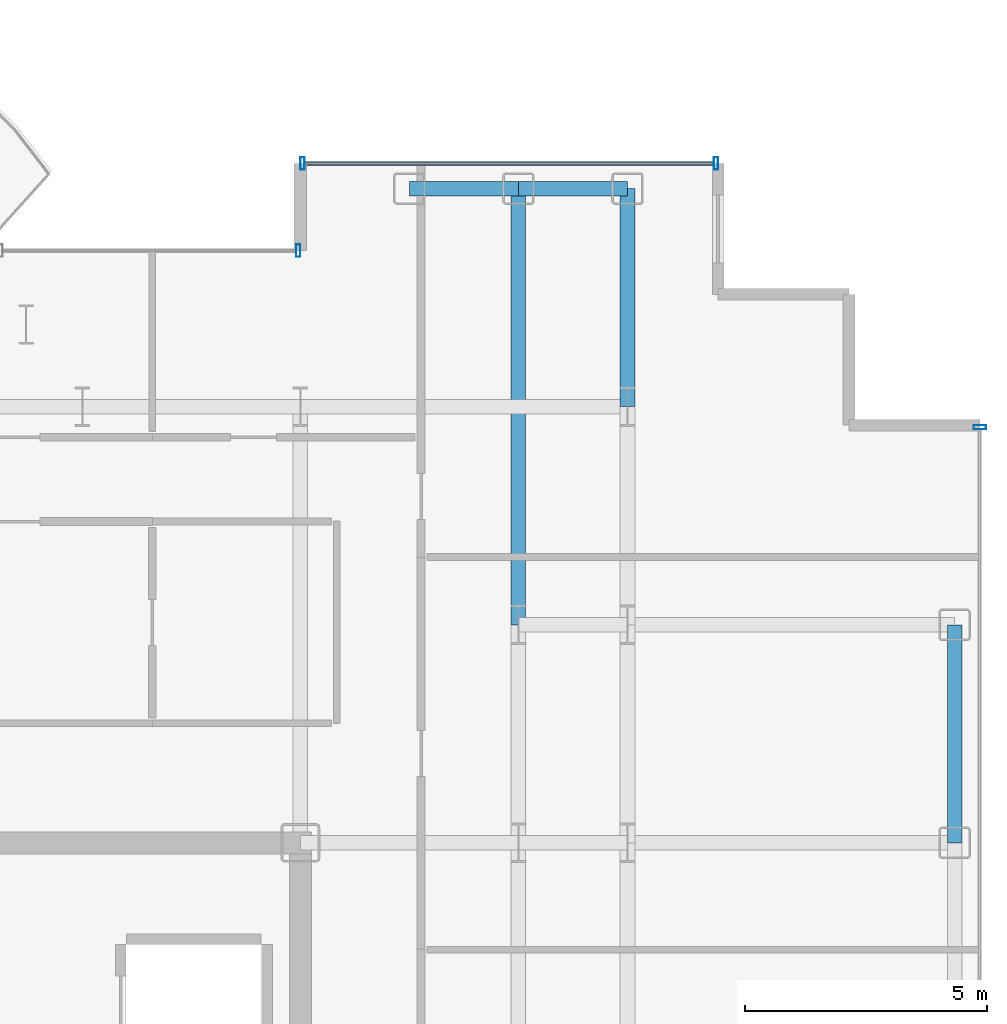
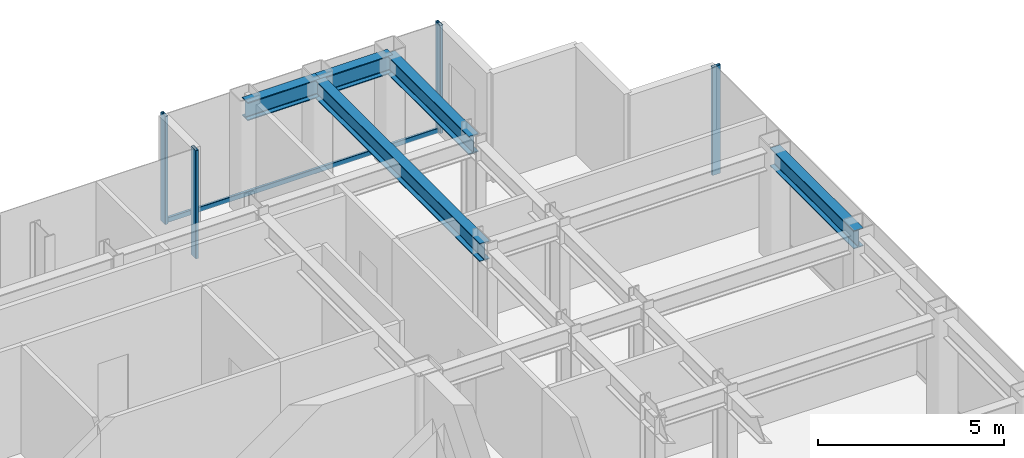
# One storey, part 12 of 21: 5 beams, 5 members, 3 elements without a shape of their own.
"""IFC4 building model written with IfcOpenShell, lengths in metres."""

from ifc_helpers import new_model, si_unit, direction, frame, origin, origin_2d, place, context, subcontext, project, spatial, hollow_rectangle, i_section, extrude, source, transform, mapped, material, layer, layer_set, material_profile, profile_set, type_object, element, aggregate, save


model = new_model("IFC4")

# Units and contexts
model_context = context("Model", 3, precision=1e-05, world=origin(), true_north=direction((0.0, 1.0)))
body_context = subcontext(model_context, "Body", "Model", "MODEL_VIEW")
ifc_project = project(units=[si_unit("LENGTHUNIT", "METRE"), si_unit("AREAUNIT", "SQUARE_METRE"), si_unit("VOLUMEUNIT", "CUBIC_METRE"), si_unit("PLANEANGLEUNIT", "RADIAN"), si_unit("MASSUNIT", "GRAM", prefix="KILO")], contexts=[model_context])

# Site, building, storey
site_placement = place(None, origin())
site = spatial("IfcSite", under=ifc_project, at=site_placement, CompositionType="ELEMENT")
building_placement = place(site_placement, origin())
building = spatial("IfcBuilding", under=site, at=building_placement, Name="Nefas-Gora Pilgrimage Tower", CompositionType="ELEMENT")
storey_placement = place(building_placement, frame((0.0, 0.0, 210.39990234375)))
storey = spatial("IfcBuildingStorey", under=building, at=storey_placement, Name="L52", CompositionType="ELEMENT", Elevation=210.39990234375)

# Beams
ifc_material_1 = material(Name="Steel S355", Category="steel")
ifc_material_profile_1 = material_profile(ifc_material_1, i_section(OverallWidth=0.300048828125, OverallDepth=0.60009765625, WebThickness=0.015380859375, FlangeThickness=0.030029296875, FilletRadius=0.027099609375, at=origin_2d()), Name="HEB 600")
ifc_profile_set_1 = profile_set([ifc_material_profile_1], Name="Steel S355")
beam_type_1 = type_object("IfcBeamType", Name="BM-SPN-HEB450", PredefinedType="SPANDREL", material=ifc_profile_set_1)
shared_shape_1 = source(origin(), body_context, "Body", "SweptSolid", [
    extrude(i_section(OverallWidth=0.300048828125, OverallDepth=0.60009765625, WebThickness=0.015380859375, FlangeThickness=0.030029296875, FilletRadius=0.027099609375, at=origin_2d()), origin(), (0.0, 0.0, 1.0), 4.5),
])
beam_1_placement = place(storey_placement, frame((24.75, 9.0, 3.25), z_axis=(0.0, 1.0, 0.0), x_axis=(-1.0, 0.0, 0.0)))
element("IfcBeam", 1, at=beam_1_placement, inside=storey, type_object=beam_type_1, Name="L52 SP-03 beam", PredefinedType="SPANDREL", context=body_context, shape_type="MappedRepresentation", body=[
    mapped(shared_shape_1, transform((0.0, 0.0, 0.0), x_axis=(1.0, 0.0, 0.0), y_axis=(0.0, 1.0, 0.0), z_axis=(0.0, 0.0, 1.0), scale=1.0)),
])
ifc_material_profile_2 = material_profile(ifc_material_1, i_section(OverallWidth=0.300048828125, OverallDepth=0.60009765625, WebThickness=0.015380859375, FlangeThickness=0.030029296875, FilletRadius=0.027099609375, at=origin_2d()), Name="HEB 600")
ifc_profile_set_2 = profile_set([ifc_material_profile_2], Name="Steel S355")
beam_type_2 = type_object("IfcBeamType", Name="BM-GIR-HEB600", PredefinedType="BEAM", material=ifc_profile_set_2)
shared_shape_2 = source(origin(), body_context, "Body", "SweptSolid", [
    extrude(i_section(OverallWidth=0.300048828125, OverallDepth=0.60009765625, WebThickness=0.015380859375, FlangeThickness=0.030029296875, FilletRadius=0.027099609375, at=origin_2d()), origin(), (0.0, 0.0, 1.0), 9.0),
])
beam_2_placement = place(storey_placement, frame((15.75, 13.5, 3.25), z_axis=(0.0, 1.0, 0.0), x_axis=(-1.0, 0.0, 0.0)))
element("IfcBeam", 2, at=beam_2_placement, inside=storey, type_object=beam_type_2, Name="L52 G-04 beam", PredefinedType="BEAM", context=body_context, shape_type="MappedRepresentation", body=[
    mapped(shared_shape_2, transform((0.0, 0.0, 0.0), x_axis=(1.0, 0.0, 0.0), y_axis=(0.0, 1.0, 0.0), z_axis=(0.0, 0.0, 1.0), scale=1.0)),
])
shared_shape_3 = source(origin(), body_context, "Body", "SweptSolid", [
    extrude(i_section(OverallWidth=0.300048828125, OverallDepth=0.60009765625, WebThickness=0.015380859375, FlangeThickness=0.030029296875, FilletRadius=0.027099609375, at=origin_2d()), origin(), (0.0, 0.0, 1.0), 4.5),
])
beam_3_placement = place(storey_placement, frame((18.0, 18.0, 3.25), z_axis=(0.0, 1.0, 0.0), x_axis=(-1.0, 0.0, 0.0)))
element("IfcBeam", 3, at=beam_3_placement, inside=storey, type_object=beam_type_2, Name="L52 G-04 beam", PredefinedType="BEAM", context=body_context, shape_type="MappedRepresentation", body=[
    mapped(shared_shape_3, transform((0.0, 0.0, 0.0), x_axis=(1.0, 0.0, 0.0), y_axis=(0.0, 1.0, 0.0), z_axis=(0.0, 0.0, 1.0), scale=1.0)),
])
shared_shape_4 = source(origin(), body_context, "Body", "SweptSolid", [
    extrude(i_section(OverallWidth=0.300048828125, OverallDepth=0.60009765625, WebThickness=0.015380859375, FlangeThickness=0.030029296875, FilletRadius=0.027099609375, at=origin_2d()), origin(), (0.0, 0.0, 1.0), 2.25),
])
for number, where, z_axis, x_axis, name in (
    (4, (13.5, 22.5, 3.25), (1.0, 0.0, 0.0), (0.0, 1.0, 0.0), "L52 SP-03 beam"),
    (5, (15.75, 22.5, 3.25), (1.0, 0.0, 0.0), (0.0, 1.0, 0.0), "L52 SP-03 beam"),
):
    element("IfcBeam", number, at=place(storey_placement, frame(where, z_axis=z_axis, x_axis=x_axis)), inside=storey, type_object=beam_type_1, Name=name, PredefinedType="SPANDREL", context=body_context, shape_type="MappedRepresentation", body=[
        mapped(shared_shape_4, transform((0.0, 0.0, 0.0), x_axis=(1.0, 0.0, 0.0), y_axis=(0.0, 1.0, 0.0), z_axis=(0.0, 0.0, 1.0), scale=1.0)),
    ])

# Curtain wall, member
ifc_material_2 = material(Name="Dark ceramic-fritted solar-control aluminium-glass curtain wall", Category="aluminium")
ifc_layer_1 = layer(ifc_material_2, 0.219970703125)
ifc_layer_set_1 = layer_set([ifc_layer_1], Name="Dark ceramic-fritted solar-control aluminium-glass curtain wall")
curtain_wall_type_1 = type_object("IfcCurtainWallType", Name="CW-SYS-5", PredefinedType="NOTDEFINED", material=ifc_layer_set_1)
curtain_wall_1_placement = place(storey_placement, origin())
curtain_wall_1 = element("IfcCurtainWall", 6, at=curtain_wall_1_placement, inside=storey, type_object=curtain_wall_type_1, Name="L52 Unitised Curtain Wall CW5", PredefinedType="NOTDEFINED")
ifc_material_3 = material(Name="Anodised architectural aluminium", Category="aluminium")
ifc_material_profile_3 = material_profile(ifc_material_3, hollow_rectangle(XDim=0.090087890625, YDim=0.260009765625, WallThickness=0.006103515625, InnerFilletRadius=0.006103515625, OuterFilletRadius=0.011962890625, at=origin_2d()), Name="ALU MULLION 90x260")
ifc_profile_set_3 = profile_set([ifc_material_profile_3], Name="Anodised architectural aluminium")
member_type_1 = type_object("IfcMemberType", Name="CWM-MUL-5", PredefinedType="MULLION", material=ifc_profile_set_3)
shared_shape_5 = source(origin(), body_context, "Body", "SweptSolid", [
    extrude(hollow_rectangle(XDim=0.090087890625, YDim=0.260009765625, WallThickness=0.006103515625, InnerFilletRadius=0.006103515625, OuterFilletRadius=0.011962890625, at=origin_2d()), origin(), (0.0, 0.0, 1.0), 3.550048828125),
])
member_1_placement = place(storey_placement, frame((11.205078125, 21.219970703125, 0.0), z_axis=(0.0, 0.0, 1.0), x_axis=(-1.0, 0.0, 0.0)))
member_1 = element("IfcMember", 7, at=member_1_placement, type_object=member_type_1, Name="CW5 Mullion 1", PredefinedType="MULLION", context=body_context, shape_type="MappedRepresentation", body=[
    mapped(shared_shape_5, transform((0.0, 0.0, 0.0), x_axis=(1.0, 0.0, 0.0), y_axis=(0.0, 1.0, 0.0), z_axis=(0.0, 0.0, 1.0), scale=1.0)),
])
aggregate(curtain_wall_1, [member_1])

ifc_layer_2 = layer(ifc_material_2, 0.219970703125)
ifc_layer_set_2 = layer_set([ifc_layer_2], Name="Dark ceramic-fritted solar-control aluminium-glass curtain wall")
curtain_wall_type_2 = type_object("IfcCurtainWallType", Name="CW-SYS-3", PredefinedType="NOTDEFINED", material=ifc_layer_set_2)
curtain_wall_2_placement = place(storey_placement, origin())
curtain_wall_2 = element("IfcCurtainWall", 8, at=curtain_wall_2_placement, inside=storey, type_object=curtain_wall_type_2, Name="L52 Unitised Curtain Wall CW3", PredefinedType="NOTDEFINED")
ifc_material_profile_4 = material_profile(ifc_material_3, hollow_rectangle(XDim=0.090087890625, YDim=0.260009765625, WallThickness=0.006103515625, InnerFilletRadius=0.006103515625, OuterFilletRadius=0.011962890625, at=origin_2d()), Name="ALU MULLION 90x260")
ifc_profile_set_4 = profile_set([ifc_material_profile_4], Name="Anodised architectural aluminium")
member_type_2 = type_object("IfcMemberType", Name="CWM-MUL-3", PredefinedType="MULLION", material=ifc_profile_set_4)
shared_shape_6 = source(origin(), body_context, "Body", "SweptSolid", [
    extrude(hollow_rectangle(XDim=0.090087890625, YDim=0.260009765625, WallThickness=0.006103515625, InnerFilletRadius=0.006103515625, OuterFilletRadius=0.011962890625, at=origin_2d()), origin(), (0.0, 0.0, 1.0), 3.550048828125),
])
member_2_placement = place(storey_placement, frame((25.27001953125, 17.574951171875, 0.0), z_axis=(0.0, 0.0, 1.0), x_axis=(0.0, 1.0, 0.0)))
member_2 = element("IfcMember", 9, at=member_2_placement, type_object=member_type_2, Name="CW3 Mullion 2", PredefinedType="MULLION", context=body_context, shape_type="MappedRepresentation", body=[
    mapped(shared_shape_6, transform((0.0, 0.0, 0.0), x_axis=(1.0, 0.0, 0.0), y_axis=(0.0, 1.0, 0.0), z_axis=(0.0, 0.0, 1.0), scale=1.0)),
])
aggregate(curtain_wall_2, [member_2])

# Curtain wall, members
curtain_wall_3_placement = place(storey_placement, origin())
curtain_wall_3 = element("IfcCurtainWall", 10, at=curtain_wall_3_placement, inside=storey, type_object=curtain_wall_type_2, Name="L52 Unitised Curtain Wall CW3", PredefinedType="NOTDEFINED")
member_3_placement = place(storey_placement, frame((19.824951171875, 23.02001953125, 0.0), z_axis=(0.0, 0.0, 1.0), x_axis=(-1.0, 0.0, 0.0)))
member_3 = element("IfcMember", 11, at=member_3_placement, type_object=member_type_2, Name="CW3 Mullion 1", PredefinedType="MULLION", context=body_context, shape_type="MappedRepresentation", body=[
    mapped(shared_shape_6, transform((0.0, 0.0, 0.0), x_axis=(1.0, 0.0, 0.0), y_axis=(0.0, 1.0, 0.0), z_axis=(0.0, 0.0, 1.0), scale=1.0)),
])
member_4_placement = place(storey_placement, frame((11.294921875, 23.02001953125, 0.0), z_axis=(0.0, 0.0, 1.0), x_axis=(-1.0, 0.0, 0.0)))
member_4 = element("IfcMember", 12, at=member_4_placement, type_object=member_type_2, Name="CW3 Mullion 2", PredefinedType="MULLION", context=body_context, shape_type="MappedRepresentation", body=[
    mapped(shared_shape_6, transform((0.0, 0.0, 0.0), x_axis=(1.0, 0.0, 0.0), y_axis=(0.0, 1.0, 0.0), z_axis=(0.0, 0.0, 1.0), scale=1.0)),
])
ifc_material_profile_5 = material_profile(ifc_material_3, hollow_rectangle(XDim=0.080078125, YDim=0.159912109375, WallThickness=0.00439453125, InnerFilletRadius=0.00439453125, OuterFilletRadius=0.009033203125, at=origin_2d()), Name="ALU TRANSOM 80x160")
ifc_profile_set_5 = profile_set([ifc_material_profile_5], Name="Anodised architectural aluminium")
member_type_3 = type_object("IfcMemberType", Name="CWM-TRN-3", PredefinedType="USERDEFINED", material=ifc_profile_set_5)
shared_shape_7 = source(origin(), body_context, "Body", "SweptSolid", [
    extrude(hollow_rectangle(XDim=0.080078125, YDim=0.159912109375, WallThickness=0.00439453125, InnerFilletRadius=0.00439453125, OuterFilletRadius=0.009033203125, at=origin_2d()), origin(), (0.0, 0.0, 1.0), 8.43994140625),
])
member_5_placement = place(storey_placement, frame((19.780029296875, 23.02001953125, 0.050048828125), z_axis=(-1.0, 0.0, 0.0), x_axis=(0.0, -1.0, 0.0)))
member_5 = element("IfcMember", 13, at=member_5_placement, type_object=member_type_3, Name="CW3 Spandrel Transom", ObjectType="TRANSOM", PredefinedType="USERDEFINED", context=body_context, shape_type="MappedRepresentation", body=[
    mapped(shared_shape_7, transform((0.0, 0.0, 0.0), x_axis=(1.0, 0.0, 0.0), y_axis=(0.0, 1.0, 0.0), z_axis=(0.0, 0.0, 1.0), scale=1.0)),
])
aggregate(curtain_wall_3, [member_3, member_4, member_5])

save(model, "model.ifc")
